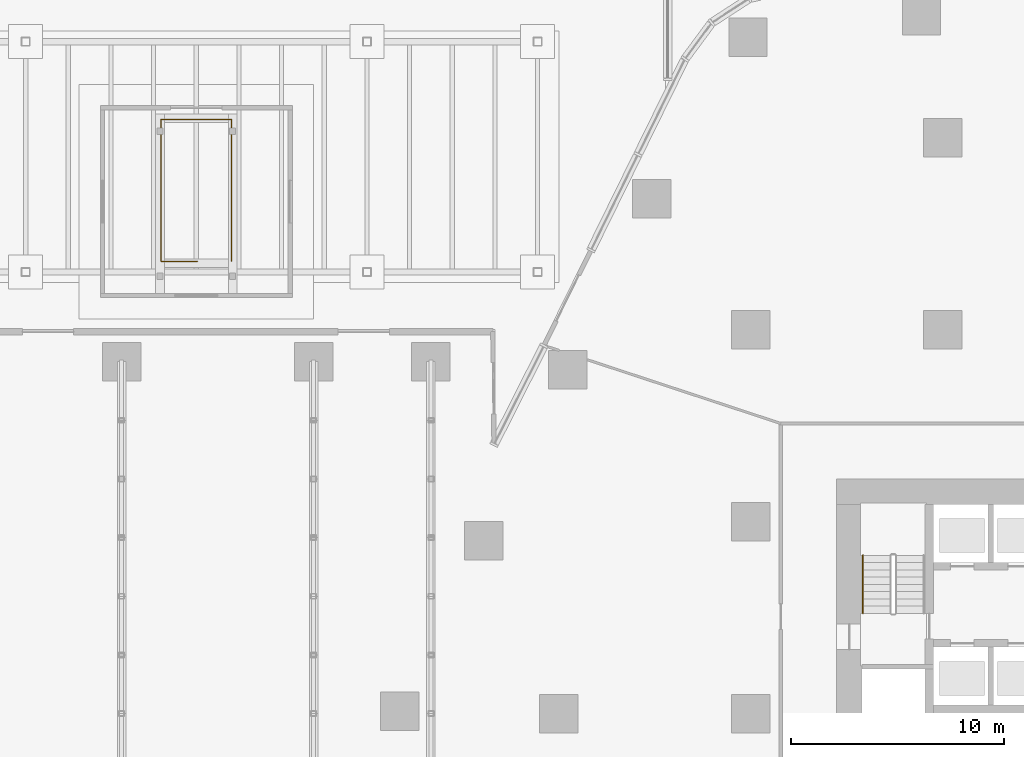
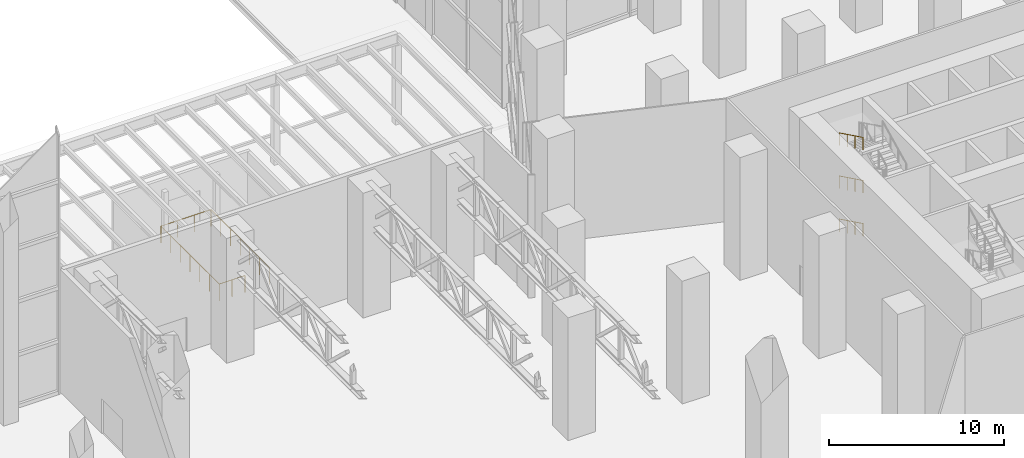
# One storey, part 38 of 40: 4 railings.
"""IFC4 building model written with IfcOpenShell, lengths in metres."""

from ifc_helpers import new_model, si_unit, direction, frame, origin, origin_2d, place, context, subcontext, project, spatial, circle, extrude, material, type_object, element, save


model = new_model("IFC4")

# Units and contexts
model_context = context("Model", 3, precision=1e-05, world=origin(), true_north=direction((0.0, 1.0)))
body_context = subcontext(model_context, "Body", "Model", "MODEL_VIEW")
ifc_project = project(units=[si_unit("LENGTHUNIT", "METRE"), si_unit("AREAUNIT", "SQUARE_METRE"), si_unit("VOLUMEUNIT", "CUBIC_METRE"), si_unit("PLANEANGLEUNIT", "RADIAN"), si_unit("MASSUNIT", "GRAM", prefix="KILO")], contexts=[model_context])

# Site, building, storey
site_placement = place(None, origin())
site = spatial("IfcSite", under=ifc_project, at=site_placement, CompositionType="ELEMENT")
building_placement = place(site_placement, origin())
building = spatial("IfcBuilding", under=site, at=building_placement, Name="Dongbaek Canopy Tower", CompositionType="ELEMENT")
storey_placement = place(building_placement, origin())
storey = spatial("IfcBuildingStorey", under=building, at=storey_placement, Name="L00", CompositionType="ELEMENT", Elevation=0.0)

# Railings
ifc_material_1 = material(Name="Stainless steel tube", Category="steel")
railing_type_1 = type_object("IfcRailingType", Name="Stair handrail 900", PredefinedType="HANDRAIL", material=ifc_material_1)
for number, where, name in (
    (1, (-12.75, 7.419921875, 1.666748046875), "L00 ST-C stair handrail 2"),
    (2, (-12.75, 7.419921875, 4.666748046875), "L00 ST-C stair handrail 4"),
    (3, (-12.75, 7.419921875, 7.666748046875), "L00 ST-C stair handrail 6"),
):
    element("IfcRailing", number, at=place(storey_placement, frame(where)), inside=storey, type_object=railing_type_1, Name=name, PredefinedType="HANDRAIL", context=body_context, shape_type="SweptSolid", body=[
        extrude(circle(Radius=0.02392578125, at=origin_2d()), frame((0.0, 0.0, 0.8759765625), z_axis=(0.0, -0.897929466783, 0.4401393787), x_axis=(1.0, 0.0, 0.0)), (0.0, 0.0, 1.0), 3.029052734375),
        extrude(circle(Radius=0.02099609375, at=origin_2d()), origin(), (0.0, 0.0, 1.0), 0.851806640625),
        extrude(circle(Radius=0.02099609375, at=origin_2d()), frame((0.0, -0.90673828125, 0.4443359375)), (0.0, 0.0, 1.0), 0.851806640625),
        extrude(circle(Radius=0.02099609375, at=origin_2d()), frame((0.0, -1.813232421875, 0.888916015625)), (0.0, 0.0, 1.0), 0.851806640625),
        extrude(circle(Radius=0.02099609375, at=origin_2d()), frame((0.0, -2.719970703125, 1.333251953125)), (0.0, 0.0, 1.0), 0.851806640625),
    ])
ifc_material_2 = material(Name="Stainless steel", Category="steel")
railing_type_2 = type_object("IfcRailingType", Name="Stair opening guard 1200", PredefinedType="GUARDRAIL", material=ifc_material_2)
railing_placement = place(storey_placement, frame((-43.949951171875, 21.199951171875, 0.0)))
element("IfcRailing", 4, at=railing_placement, inside=storey, type_object=railing_type_2, Name="Metro entrance B stair guard", PredefinedType="GUARDRAIL", context=body_context, shape_type="SweptSolid", body=[
    extrude(circle(Radius=0.02392578125, at=origin_2d()), frame((0.0, 0.0, 1.17578125), z_axis=(-1.0, 0.0, 0.0), x_axis=(0.0, -1.0, 0.0)), (0.0, 0.0, 1.0), 1.699951171875),
    extrude(circle(Radius=0.02392578125, at=origin_2d()), frame((-1.699951171875, 0.0, 1.17578125), z_axis=(0.0, 1.0, 0.0), x_axis=(-1.0, 0.0, 0.0)), (0.0, 0.0, 1.0), 6.650146484375),
    extrude(circle(Radius=0.02392578125, at=origin_2d()), frame((-1.699951171875, 6.650146484375, 1.17578125), z_axis=(1.0, 0.0, 0.0), x_axis=(0.0, 1.0, 0.0)), (0.0, 0.0, 1.0), 3.2998046875),
    extrude(circle(Radius=0.02392578125, at=origin_2d()), frame((1.599853515625, 6.650146484375, 1.17578125), z_axis=(0.0, -1.0, 0.0), x_axis=(1.0, 0.0, 0.0)), (0.0, 0.0, 1.0), 6.650146484375),
    extrude(circle(Radius=0.02099609375, at=origin_2d()), origin(), (0.0, 0.0, 1.0), 1.15185546875),
    extrude(circle(Radius=0.02099609375, at=origin_2d()), frame((-0.85009765625, 0.0, 0.0)), (0.0, 0.0, 1.0), 1.15185546875),
    extrude(circle(Radius=0.02099609375, at=origin_2d()), frame((-1.699951171875, 0.0, 0.0)), (0.0, 0.0, 1.0), 1.15185546875),
    extrude(circle(Radius=0.02099609375, at=origin_2d()), frame((-1.699951171875, 1.1083984375, 0.0)), (0.0, 0.0, 1.0), 1.15185546875),
    extrude(circle(Radius=0.02099609375, at=origin_2d()), frame((-1.699951171875, 2.216796875, 0.0)), (0.0, 0.0, 1.0), 1.15185546875),
    extrude(circle(Radius=0.02099609375, at=origin_2d()), frame((-1.699951171875, 3.3251953125, 0.0)), (0.0, 0.0, 1.0), 1.15185546875),
    extrude(circle(Radius=0.02099609375, at=origin_2d()), frame((-1.699951171875, 4.433349609375, 0.0)), (0.0, 0.0, 1.0), 1.15185546875),
    extrude(circle(Radius=0.02099609375, at=origin_2d()), frame((-1.699951171875, 5.541748046875, 0.0)), (0.0, 0.0, 1.0), 1.15185546875),
    extrude(circle(Radius=0.02099609375, at=origin_2d()), frame((-1.699951171875, 6.650146484375, 0.0)), (0.0, 0.0, 1.0), 1.15185546875),
    extrude(circle(Radius=0.02099609375, at=origin_2d()), frame((-0.60009765625, 6.650146484375, 0.0)), (0.0, 0.0, 1.0), 1.15185546875),
    extrude(circle(Radius=0.02099609375, at=origin_2d()), frame((0.5, 6.650146484375, 0.0)), (0.0, 0.0, 1.0), 1.15185546875),
    extrude(circle(Radius=0.02099609375, at=origin_2d()), frame((1.599853515625, 6.650146484375, 0.0)), (0.0, 0.0, 1.0), 1.15185546875),
    extrude(circle(Radius=0.02099609375, at=origin_2d()), frame((1.599853515625, 5.541748046875, 0.0)), (0.0, 0.0, 1.0), 1.15185546875),
    extrude(circle(Radius=0.02099609375, at=origin_2d()), frame((1.599853515625, 4.433349609375, 0.0)), (0.0, 0.0, 1.0), 1.15185546875),
    extrude(circle(Radius=0.02099609375, at=origin_2d()), frame((1.599853515625, 3.3251953125, 0.0)), (0.0, 0.0, 1.0), 1.15185546875),
    extrude(circle(Radius=0.02099609375, at=origin_2d()), frame((1.599853515625, 2.216796875, 0.0)), (0.0, 0.0, 1.0), 1.15185546875),
    extrude(circle(Radius=0.02099609375, at=origin_2d()), frame((1.599853515625, 1.1083984375, 0.0)), (0.0, 0.0, 1.0), 1.15185546875),
    extrude(circle(Radius=0.02099609375, at=origin_2d()), frame((1.599853515625, 0.0, 0.0)), (0.0, 0.0, 1.0), 1.15185546875),
])

save(model, "model.ifc")
